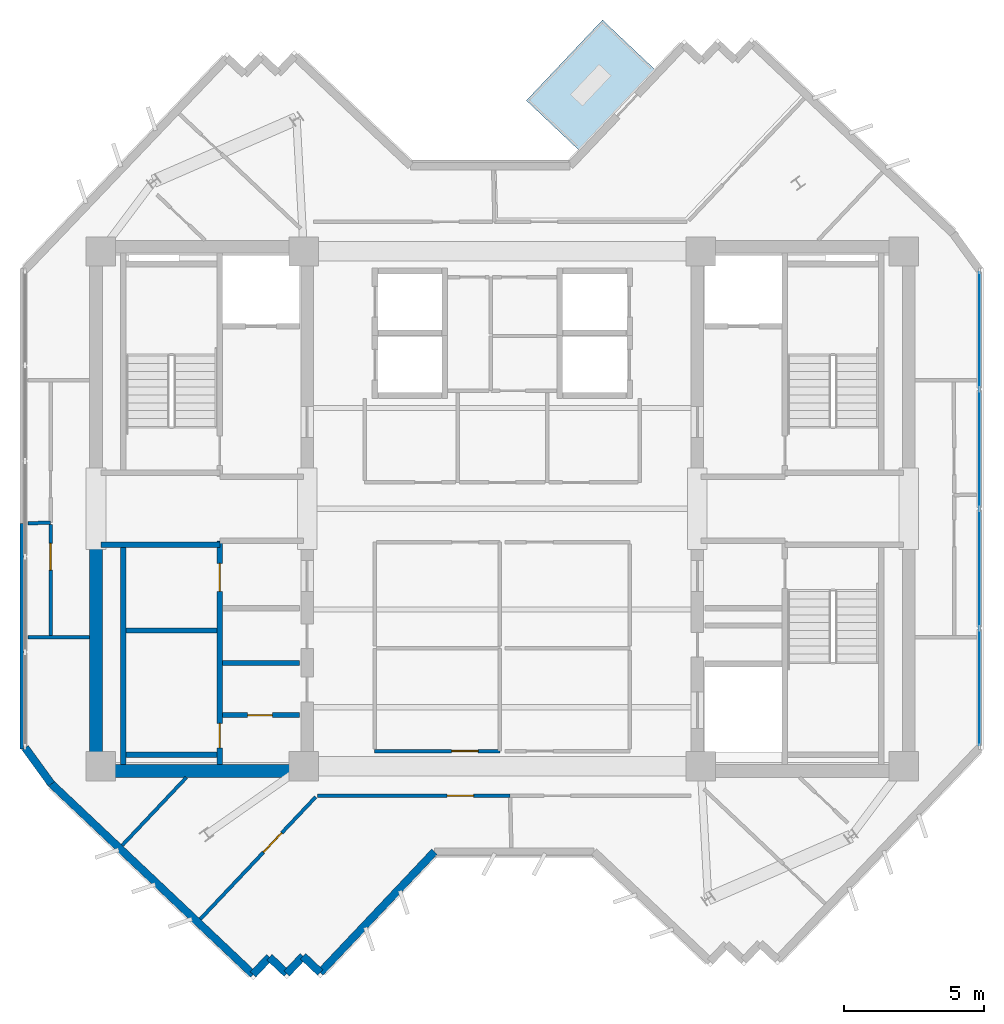
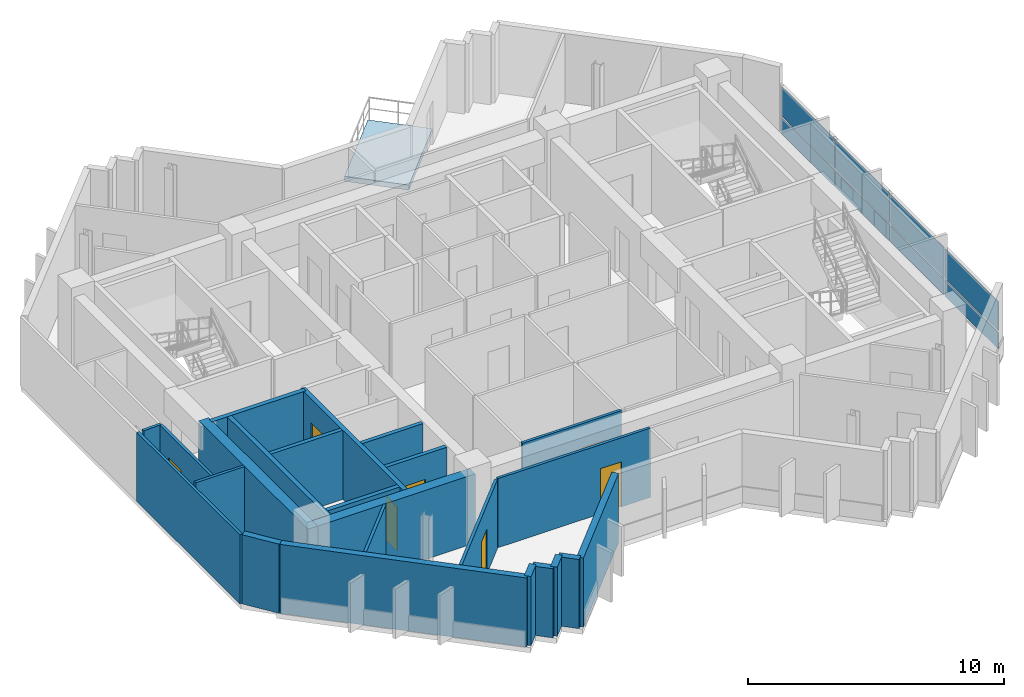
# One storey, part 3 of 9: 24 walls, 8 plates, 7 doors, 1 slab, 7 openings, 1 element without a shape of its own.
"""IFC4 building model written with IfcOpenShell, lengths in metres."""

from ifc_helpers import new_model, si_unit, direction, frame, frame_2d, origin, origin_2d, place, context, subcontext, project, spatial, polyline, rectangle, outline, extrude, source, transform, mapped, material, layer, layer_set, type_object, element, fill, aggregate, save


model = new_model("IFC4")

# Units and contexts
model_context = context("Model", 3, precision=1e-05, world=origin(), true_north=direction((0.0, 1.0)))
body_context = subcontext(model_context, "Body", "Model", "MODEL_VIEW")
ifc_project = project(units=[si_unit("LENGTHUNIT", "METRE"), si_unit("AREAUNIT", "SQUARE_METRE"), si_unit("VOLUMEUNIT", "CUBIC_METRE"), si_unit("PLANEANGLEUNIT", "RADIAN"), si_unit("MASSUNIT", "GRAM", prefix="KILO")], contexts=[model_context])

# Site, building, storey
site_placement = place(None, origin())
site = spatial("IfcSite", under=ifc_project, at=site_placement, CompositionType="ELEMENT")
building_placement = place(site_placement, origin())
building = spatial("IfcBuilding", under=site, at=building_placement, Name="Zahravan Cultural Tower", CompositionType="ELEMENT")
storey_placement = place(building_placement, frame((0.0, 0.0, 310.35009765625)))
storey = spatial("IfcBuildingStorey", under=building, at=storey_placement, Name="L75", CompositionType="ELEMENT", Elevation=310.35009765625)

# Slab
ifc_material_1 = material(Name="Concrete C40/50", Category="concrete")
ifc_layer_1 = layer(ifc_material_1, 0.239990234375)
ifc_layer_set_1 = layer_set([ifc_layer_1], Name="Concrete C40/50")
slab_type = type_object("IfcSlabType", Name="SL-TERR-240", PredefinedType="FLOOR", material=ifc_layer_set_1)
slab_placement = place(storey_placement, frame((0.0, 0.0, -0.239990234375)))
element("IfcSlab", 1, at=slab_placement, inside=storey, type_object=slab_type, Name="L75 Planted Sculpture Terrace NE", PredefinedType="FLOOR", context=body_context, shape_type="SweptSolid", body=[
    extrude(outline(polyline([(36.861328125, 41.596435546875), (38.747314453125, 39.814208984375), (41.46728515625, 42.692138671875), (39.581298828125, 44.474609375), (36.861328125, 41.596435546875)])), origin(), (0.0, 0.0, 1.0), 0.239990234375),
])

# Curtain wall, plates
ifc_material_2 = material(Name="Anodised bronze-aluminium mullion", Category="aluminium")
ifc_layer_2 = layer(ifc_material_2, 0.219970703125)
ifc_layer_set_2 = layer_set([ifc_layer_2], Name="Anodised bronze-aluminium mullion")
curtain_wall_type = type_object("IfcCurtainWallType", Name="CW-SYS-1", PredefinedType="USERDEFINED", material=ifc_layer_set_2)
curtain_wall_placement = place(storey_placement, origin())
curtain_wall = element("IfcCurtainWall", 2, at=curtain_wall_placement, inside=storey, type_object=curtain_wall_type, Name="L75 Recessed Curtain Wall CW-1.1", ObjectType="RECESSED GLAZING", PredefinedType="USERDEFINED")
ifc_material_3 = material(Name="Low-E solar-control double glazing", Category="glass")
ifc_layer_3 = layer(ifc_material_3, 0.031982421875)
ifc_layer_set_3 = layer_set([ifc_layer_3], Name="Low-E solar-control double glazing")
plate_type = type_object("IfcPlateType", Name="CWP-CW-1", PredefinedType="CURTAIN_PANEL", material=ifc_layer_set_3)
shared_shape_1 = source(origin(), body_context, "Body", "SweptSolid", [
    extrude(rectangle(XDim=4.15087890625, YDim=0.031982421875, at=origin_2d()), origin(), (0.0, 0.0, 1.0), 0.780029296875),
])
plate_1_placement = place(storey_placement, frame((53.06005859375, 33.386474609375, 0.080078125), z_axis=(0.0, 0.0, 1.0), x_axis=(0.0, -1.0, 0.0)))
plate_1 = element("IfcPlate", 3, at=plate_1_placement, type_object=plate_type, Name="CW-1 panel 1.1", PredefinedType="CURTAIN_PANEL", context=body_context, shape_type="MappedRepresentation", body=[
    mapped(shared_shape_1, transform((0.0, 0.0, 0.0), x_axis=(1.0, 0.0, 0.0), y_axis=(0.0, 1.0, 0.0), z_axis=(0.0, 0.0, 1.0), scale=1.0)),
])
plate_2_placement = place(storey_placement, frame((53.06005859375, 20.613525390625, 0.080078125), z_axis=(0.0, 0.0, 1.0), x_axis=(0.0, -1.0, 0.0)))
plate_2 = element("IfcPlate", 4, at=plate_2_placement, type_object=plate_type, Name="CW-1 panel 4.1", PredefinedType="CURTAIN_PANEL", context=body_context, shape_type="MappedRepresentation", body=[
    mapped(shared_shape_1, transform((0.0, 0.0, 0.0), x_axis=(1.0, 0.0, 0.0), y_axis=(0.0, 1.0, 0.0), z_axis=(0.0, 0.0, 1.0), scale=1.0)),
])
shared_shape_2 = source(origin(), body_context, "Body", "SweptSolid", [
    extrude(rectangle(XDim=4.19091796875, YDim=0.031982421875, at=origin_2d()), origin(), (0.0, 0.0, 1.0), 0.780029296875),
])
plate_3_placement = place(storey_placement, frame((53.06005859375, 29.135498046875, 0.080078125), z_axis=(0.0, 0.0, 1.0), x_axis=(0.0, -1.0, 0.0)))
plate_3 = element("IfcPlate", 5, at=plate_3_placement, type_object=plate_type, Name="CW-1 panel 2.1", PredefinedType="CURTAIN_PANEL", context=body_context, shape_type="MappedRepresentation", body=[
    mapped(shared_shape_2, transform((0.0, 0.0, 0.0), x_axis=(1.0, 0.0, 0.0), y_axis=(0.0, 1.0, 0.0), z_axis=(0.0, 0.0, 1.0), scale=1.0)),
])
plate_4_placement = place(storey_placement, frame((53.06005859375, 24.864501953125, 0.080078125), z_axis=(0.0, 0.0, 1.0), x_axis=(0.0, -1.0, 0.0)))
plate_4 = element("IfcPlate", 6, at=plate_4_placement, type_object=plate_type, Name="CW-1 panel 3.1", PredefinedType="CURTAIN_PANEL", context=body_context, shape_type="MappedRepresentation", body=[
    mapped(shared_shape_2, transform((0.0, 0.0, 0.0), x_axis=(1.0, 0.0, 0.0), y_axis=(0.0, 1.0, 0.0), z_axis=(0.0, 0.0, 1.0), scale=1.0)),
])
shared_shape_3 = source(origin(), body_context, "Body", "SweptSolid", [
    extrude(rectangle(XDim=4.15087890625, YDim=0.031982421875, at=origin_2d()), origin(), (0.0, 0.0, 1.0), 1.39990234375),
])
plate_5_placement = place(storey_placement, frame((53.06005859375, 33.386474609375, 0.93994140625), z_axis=(0.0, 0.0, 1.0), x_axis=(0.0, -1.0, 0.0)))
plate_5 = element("IfcPlate", 7, at=plate_5_placement, type_object=plate_type, Name="CW-1 panel 1.2", PredefinedType="CURTAIN_PANEL", context=body_context, shape_type="MappedRepresentation", body=[
    mapped(shared_shape_3, transform((0.0, 0.0, 0.0), x_axis=(1.0, 0.0, 0.0), y_axis=(0.0, 1.0, 0.0), z_axis=(0.0, 0.0, 1.0), scale=1.0)),
])
plate_6_placement = place(storey_placement, frame((53.06005859375, 20.613525390625, 0.93994140625), z_axis=(0.0, 0.0, 1.0), x_axis=(0.0, -1.0, 0.0)))
plate_6 = element("IfcPlate", 8, at=plate_6_placement, type_object=plate_type, Name="CW-1 panel 4.2", PredefinedType="CURTAIN_PANEL", context=body_context, shape_type="MappedRepresentation", body=[
    mapped(shared_shape_3, transform((0.0, 0.0, 0.0), x_axis=(1.0, 0.0, 0.0), y_axis=(0.0, 1.0, 0.0), z_axis=(0.0, 0.0, 1.0), scale=1.0)),
])
shared_shape_4 = source(origin(), body_context, "Body", "SweptSolid", [
    extrude(rectangle(XDim=4.19091796875, YDim=0.031982421875, at=origin_2d()), origin(), (0.0, 0.0, 1.0), 1.39990234375),
])
plate_7_placement = place(storey_placement, frame((53.06005859375, 29.135498046875, 0.93994140625), z_axis=(0.0, 0.0, 1.0), x_axis=(0.0, -1.0, 0.0)))
plate_7 = element("IfcPlate", 9, at=plate_7_placement, type_object=plate_type, Name="CW-1 panel 2.2", PredefinedType="CURTAIN_PANEL", context=body_context, shape_type="MappedRepresentation", body=[
    mapped(shared_shape_4, transform((0.0, 0.0, 0.0), x_axis=(1.0, 0.0, 0.0), y_axis=(0.0, 1.0, 0.0), z_axis=(0.0, 0.0, 1.0), scale=1.0)),
])
plate_8_placement = place(storey_placement, frame((53.06005859375, 24.864501953125, 0.93994140625), z_axis=(0.0, 0.0, 1.0), x_axis=(0.0, -1.0, 0.0)))
plate_8 = element("IfcPlate", 10, at=plate_8_placement, type_object=plate_type, Name="CW-1 panel 3.2", PredefinedType="CURTAIN_PANEL", context=body_context, shape_type="MappedRepresentation", body=[
    mapped(shared_shape_4, transform((0.0, 0.0, 0.0), x_axis=(1.0, 0.0, 0.0), y_axis=(0.0, 1.0, 0.0), z_axis=(0.0, 0.0, 1.0), scale=1.0)),
])
aggregate(curtain_wall, [plate_1, plate_5, plate_3, plate_7, plate_4, plate_8, plate_2, plate_6])

# Wall, opening, door
ifc_material_4 = material(Name="Gypsum plasterboard partition")
ifc_layer_4 = layer(ifc_material_4, 0.179931640625)
ifc_layer_set_4 = layer_set([ifc_layer_4], Name="Gypsum plasterboard partition")
wall_type_1 = type_object("IfcWallType", Name="W-COMP-180", PredefinedType="PARTITIONING", material=ifc_layer_set_4)
wall_1_placement = place(storey_placement, frame((26.0, 19.6201171875, 0.0), z_axis=(0.0, 0.0, 1.0), x_axis=(1.0, 0.0, 0.0)))
wall_1 = element("IfcWall", 11, at=wall_1_placement, inside=storey, type_object=wall_type_1, Name="L75 Interior Wall 027", PredefinedType="PARTITIONING", context=body_context, shape_type="SweptSolid", body=[
    extrude(rectangle(XDim=2.75, YDim=0.179931640625, at=frame_2d((1.375, 0.0))), origin(), (0.0, 0.0, 1.0), 3.2998046875),
])
opening_1_placement = place(wall_1_placement, frame((0.89990234375, 0.0, 0.0)))
opening_1 = element("IfcOpeningElement", 12, at=opening_1_placement, cuts=wall_1, Name="Opening D-L75-10", PredefinedType="OPENING", context=body_context, shape_type="SweptSolid", body=[
    extrude(rectangle(XDim=0.8798828125, YDim=2.10009765625, at=frame_2d((0.43994140625, 1.050048828125))), frame((0.0, 0.099853515625, 0.0), z_axis=(0.0, -1.0, 0.0), x_axis=(1.0, 0.0, 0.0)), (0.0, 0.0, 1.0), 0.199951171875),
])
ifc_material_5 = material(Name="Steel ASTM A572 Grade 50", Category="steel")
door_type_1 = type_object("IfcDoorType", Name="DR-SVC-880", OperationType="NOTDEFINED", PredefinedType="DOOR", material=ifc_material_5)
shared_shape_5 = source(origin(), body_context, "Body", "SweptSolid", [
    extrude(rectangle(XDim=0.8798828125, YDim=2.10009765625, at=frame_2d((0.43994140625, 1.050048828125))), frame((0.0, 0.02490234375, 0.0), z_axis=(0.0, -1.0, 0.0), x_axis=(1.0, 0.0, 0.0)), (0.0, 0.0, 1.0), 0.050048828125),
])
door_1_placement = place(opening_1_placement, origin())
door_1 = element("IfcDoor", 13, at=door_1_placement, inside=storey, type_object=door_type_1, Name="L75 Door D-L75-10", OperationType="SINGLE_SWING_RIGHT", OverallHeight=2.10009765625, OverallWidth=0.8798828125, PredefinedType="DOOR", context=body_context, shape_type="MappedRepresentation", body=[
    mapped(shared_shape_5, transform((0.0, 0.0, 0.0), x_axis=(1.0, 0.0, 0.0), y_axis=(0.0, 1.0, 0.0), z_axis=(0.0, 0.0, 1.0), scale=1.0)),
])
fill(opening_1, door_1)

ifc_layer_5 = layer(ifc_material_4, 0.125)
ifc_layer_set_5 = layer_set([ifc_layer_5], Name="Gypsum plasterboard partition")
wall_type_2 = type_object("IfcWallType", Name="W-PART-125", PredefinedType="PARTITIONING", material=ifc_layer_set_5)
wall_2_placement = place(storey_placement, frame((35.909912109375, 18.340087890625, 0.0), z_axis=(0.0, 0.0, 1.0), x_axis=(-1.0, 0.0, 0.0)))
wall_2 = element("IfcWall", 14, at=wall_2_placement, inside=storey, type_object=wall_type_2, Name="L75 Interior Wall 062", PredefinedType="PARTITIONING", context=body_context, shape_type="SweptSolid", body=[
    extrude(rectangle(XDim=4.469970703125, YDim=0.125, at=frame_2d((2.23486328125, 0.0))), origin(), (0.0, 0.0, 1.0), 3.2998046875),
])
opening_2_placement = place(wall_2_placement, frame((0.7744140625, 0.0, 0.0)))
opening_2 = element("IfcOpeningElement", 15, at=opening_2_placement, cuts=wall_2, Name="Opening D-L75-14", PredefinedType="OPENING", context=body_context, shape_type="SweptSolid", body=[
    extrude(rectangle(XDim=0.949951171875, YDim=2.14990234375, at=frame_2d((0.47509765625, 1.074951171875))), frame((0.0, 0.072509765625, 0.0), z_axis=(0.0, -1.0, 0.0), x_axis=(1.0, 0.0, 0.0)), (0.0, 0.0, 1.0), 0.14501953125),
])
door_type_2 = type_object("IfcDoorType", Name="DR-ROOM-950", OperationType="NOTDEFINED", PredefinedType="DOOR", material=ifc_material_2)
shared_shape_6 = source(origin(), body_context, "Body", "SweptSolid", [
    extrude(rectangle(XDim=0.949951171875, YDim=2.14990234375, at=frame_2d((0.47509765625, 1.074951171875))), frame((0.0, 0.02490234375, 0.0), z_axis=(0.0, -1.0, 0.0), x_axis=(1.0, 0.0, 0.0)), (0.0, 0.0, 1.0), 0.050048828125),
])
door_2_placement = place(opening_2_placement, origin())
door_2 = element("IfcDoor", 16, at=door_2_placement, inside=storey, type_object=door_type_2, Name="L75 Door D-L75-14", OperationType="SINGLE_SWING_RIGHT", OverallHeight=2.14990234375, OverallWidth=0.949951171875, PredefinedType="DOOR", context=body_context, shape_type="MappedRepresentation", body=[
    mapped(shared_shape_6, transform((0.0, 0.0, 0.0), x_axis=(1.0, 0.0, 0.0), y_axis=(0.0, 1.0, 0.0), z_axis=(0.0, 0.0, 1.0), scale=1.0)),
])
fill(opening_2, door_2)

wall_3_placement = place(storey_placement, frame((29.32763671875, 16.693603515625, 0.0), z_axis=(0.0, 0.0, 1.0), x_axis=(-0.686871949206, -0.726778456886, 0.0)))
wall_3 = element("IfcWall", 17, at=wall_3_placement, inside=storey, type_object=wall_type_2, Name="L75 Interior Wall 084", PredefinedType="PARTITIONING", context=body_context, shape_type="SweptSolid", body=[
    extrude(rectangle(XDim=6.00146484375, YDim=0.125, at=frame_2d((3.000732421875, 0.0))), origin(), (0.0, 0.0, 1.0), 3.2998046875),
])
opening_3_placement = place(wall_3_placement, frame((1.76806640625, 0.0, 0.0)))
opening_3 = element("IfcOpeningElement", 18, at=opening_3_placement, cuts=wall_3, Name="Opening D-L75-34", PredefinedType="OPENING", context=body_context, shape_type="SweptSolid", body=[
    extrude(rectangle(XDim=0.949951171875, YDim=2.14990234375, at=frame_2d((0.47509765625, 1.074951171875))), frame((0.0, 0.072509765625, 0.0), z_axis=(0.0, -1.0, 0.0), x_axis=(1.0, 0.0, 0.0)), (0.0, 0.0, 1.0), 0.14501953125),
])
door_3_placement = place(opening_3_placement, origin())
door_3 = element("IfcDoor", 19, at=door_3_placement, inside=storey, type_object=door_type_2, Name="L75 Door D-L75-34", OperationType="SINGLE_SWING_RIGHT", OverallHeight=2.14990234375, OverallWidth=0.949951171875, PredefinedType="DOOR", context=body_context, shape_type="MappedRepresentation", body=[
    mapped(shared_shape_6, transform((0.0, 0.0, 0.0), x_axis=(1.0, 0.0, 0.0), y_axis=(0.0, 1.0, 0.0), z_axis=(0.0, 0.0, 1.0), scale=1.0)),
])
fill(opening_3, door_3)

wall_4_placement = place(storey_placement, frame((19.85009765625, 26.43896484375, 0.0), z_axis=(0.0, 0.0, 1.0), x_axis=(0.000241837961, -0.999999970757, 0.0)))
wall_4 = element("IfcWall", 20, at=wall_4_placement, inside=storey, type_object=wall_type_2, Name="L75 Interior Wall 085", PredefinedType="PARTITIONING", context=body_context, shape_type="SweptSolid", body=[
    extrude(rectangle(XDim=4.0380859375, YDim=0.125, at=frame_2d((2.01904296875, 0.0))), origin(), (0.0, 0.0, 1.0), 3.2998046875),
])
opening_4_placement = place(wall_4_placement, frame((0.679443359375, 0.0, 0.0)))
opening_4 = element("IfcOpeningElement", 21, at=opening_4_placement, cuts=wall_4, Name="Opening D-L75-27", PredefinedType="OPENING", context=body_context, shape_type="SweptSolid", body=[
    extrude(rectangle(XDim=0.949951171875, YDim=2.14990234375, at=frame_2d((0.47509765625, 1.074951171875))), frame((0.0, 0.072509765625, 0.0), z_axis=(0.0, -1.0, 0.0), x_axis=(1.0, 0.0, 0.0)), (0.0, 0.0, 1.0), 0.14501953125),
])
door_4_placement = place(opening_4_placement, origin())
door_4 = element("IfcDoor", 22, at=door_4_placement, inside=storey, type_object=door_type_2, Name="L75 Door D-L75-27", OperationType="SINGLE_SWING_LEFT", OverallHeight=2.14990234375, OverallWidth=0.949951171875, PredefinedType="DOOR", context=body_context, shape_type="MappedRepresentation", body=[
    mapped(shared_shape_6, transform((0.0, 0.0, 0.0), x_axis=(1.0, 0.0, 0.0), y_axis=(0.0, 1.0, 0.0), z_axis=(0.0, 0.0, 1.0), scale=1.0)),
])
fill(opening_4, door_4)

wall_5_placement = place(storey_placement, frame((29.399169921875, 16.739990234375, 0.0), z_axis=(0.0, 0.0, 1.0), x_axis=(1.0, 0.0, 0.0)))
wall_5 = element("IfcWall", 23, at=wall_5_placement, inside=storey, type_object=wall_type_2, Name="L75 Interior Wall 095", PredefinedType="PARTITIONING", context=body_context, shape_type="SweptSolid", body=[
    extrude(rectangle(XDim=6.880615234375, YDim=0.125, at=frame_2d((3.4404296875, 0.0))), origin(), (0.0, 0.0, 1.0), 3.2998046875),
])
opening_5_placement = place(wall_5_placement, frame((4.6259765625, 0.0, 0.0)))
opening_5 = element("IfcOpeningElement", 24, at=opening_5_placement, cuts=wall_5, Name="Opening D-L75-28", PredefinedType="OPENING", context=body_context, shape_type="SweptSolid", body=[
    extrude(rectangle(XDim=0.949951171875, YDim=2.14990234375, at=frame_2d((0.47509765625, 1.074951171875))), frame((0.0, 0.072509765625, 0.0), z_axis=(0.0, -1.0, 0.0), x_axis=(1.0, 0.0, 0.0)), (0.0, 0.0, 1.0), 0.14501953125),
])
door_5_placement = place(opening_5_placement, origin())
door_5 = element("IfcDoor", 25, at=door_5_placement, inside=storey, type_object=door_type_2, Name="L75 Door D-L75-28", OperationType="SINGLE_SWING_RIGHT", OverallHeight=2.14990234375, OverallWidth=0.949951171875, PredefinedType="DOOR", context=body_context, shape_type="MappedRepresentation", body=[
    mapped(shared_shape_6, transform((0.0, 0.0, 0.0), x_axis=(1.0, 0.0, 0.0), y_axis=(0.0, 1.0, 0.0), z_axis=(0.0, 0.0, 1.0), scale=1.0)),
])
fill(opening_5, door_5)

# Wall, openings, doors
ifc_material_6 = material(Name="Concrete C45/55", Category="concrete")
ifc_layer_6 = layer(ifc_material_6, 0.199951171875)
ifc_layer_set_6 = layer_set([ifc_layer_6], Name="Concrete C45/55")
wall_type_3 = type_object("IfcWallType", Name="W-SHAFT-200", PredefinedType="SOLIDWALL", material=ifc_layer_set_6)
wall_6_placement = place(storey_placement, frame((25.89990234375, 17.85009765625, 0.0), z_axis=(0.0, 0.0, 1.0), x_axis=(0.0, 1.0, 0.0)))
wall_6 = element("IfcWall", 26, at=wall_6_placement, inside=storey, type_object=wall_type_3, Name="L75 Interior Wall 005", PredefinedType="SOLIDWALL", context=body_context, shape_type="SweptSolid", body=[
    extrude(rectangle(XDim=8.0, YDim=0.199951171875, at=frame_2d((4.0, 0.0))), origin(), (0.0, 0.0, 1.0), 3.2998046875),
])
opening_6_placement = place(wall_6_placement, frame((6.199951171875, 0.0, 0.0)))
opening_6 = element("IfcOpeningElement", 27, at=opening_6_placement, cuts=wall_6, Name="Opening D-L75-04", PredefinedType="OPENING", context=body_context, shape_type="SweptSolid", body=[
    extrude(rectangle(XDim=1.0, YDim=2.14990234375, at=frame_2d((0.5, 1.074951171875))), frame((0.0, 0.10986328125, 0.0), z_axis=(0.0, -1.0, 0.0), x_axis=(1.0, 0.0, 0.0)), (0.0, 0.0, 1.0), 0.219970703125),
])
opening_7_placement = place(wall_6_placement, frame((0.60009765625, 0.0, 0.0)))
opening_7 = element("IfcOpeningElement", 28, at=opening_7_placement, cuts=wall_6, Name="Opening D-L75-05", PredefinedType="OPENING", context=body_context, shape_type="SweptSolid", body=[
    extrude(rectangle(XDim=0.8798828125, YDim=2.10009765625, at=frame_2d((0.43994140625, 1.050048828125))), frame((0.0, 0.10986328125, 0.0), z_axis=(0.0, -1.0, 0.0), x_axis=(1.0, 0.0, 0.0)), (0.0, 0.0, 1.0), 0.219970703125),
])
door_6_placement = place(opening_7_placement, origin())
door_6 = element("IfcDoor", 29, at=door_6_placement, inside=storey, type_object=door_type_1, Name="L75 Door D-L75-05", OperationType="SINGLE_SWING_LEFT", OverallHeight=2.10009765625, OverallWidth=0.8798828125, PredefinedType="DOOR", context=body_context, shape_type="MappedRepresentation", body=[
    mapped(shared_shape_5, transform((0.0, 0.0, 0.0), x_axis=(1.0, 0.0, 0.0), y_axis=(0.0, 1.0, 0.0), z_axis=(0.0, 0.0, 1.0), scale=1.0)),
])
fill(opening_7, door_6)
door_type_3 = type_object("IfcDoorType", Name="DR-COMP-1000", OperationType="NOTDEFINED", PredefinedType="DOOR", material=ifc_material_5)
shared_shape_7 = source(origin(), body_context, "Body", "SweptSolid", [
    extrude(rectangle(XDim=1.0, YDim=2.14990234375, at=frame_2d((0.5, 1.074951171875))), frame((0.0, 0.02490234375, 0.0), z_axis=(0.0, -1.0, 0.0), x_axis=(1.0, 0.0, 0.0)), (0.0, 0.0, 1.0), 0.050048828125),
])
door_7_placement = place(opening_6_placement, origin())
door_7 = element("IfcDoor", 30, at=door_7_placement, inside=storey, type_object=door_type_3, Name="L75 Door D-L75-04", OperationType="SINGLE_SWING_RIGHT", OverallHeight=2.14990234375, OverallWidth=1.0, PredefinedType="DOOR", context=body_context, shape_type="MappedRepresentation", body=[
    mapped(shared_shape_7, transform((0.0, 0.0, 0.0), x_axis=(1.0, 0.0, 0.0), y_axis=(0.0, 1.0, 0.0), z_axis=(0.0, 0.0, 1.0), scale=1.0)),
])
fill(opening_6, door_7)

# Walls
ifc_material_7 = material(Name="Concrete C50/60", Category="concrete")
ifc_layer_7 = layer(ifc_material_7, 0.449951171875)
ifc_layer_set_7 = layer_set([ifc_layer_7], Name="Concrete C50/60")
wall_type_4 = type_object("IfcWallType", Name="CW-SHEAR-450-C50", PredefinedType="SHEAR", material=ifc_layer_set_7)
shared_shape_8 = source(origin(), body_context, "Body", "SweptSolid", [
    extrude(rectangle(XDim=8.550048828125, YDim=0.449951171875, at=frame_2d((4.27490234375, 0.0))), origin(), (0.0, 0.0, 1.0), 3.2998046875),
])
wall_7_placement = place(storey_placement, frame((21.47509765625, 17.39990234375, 0.0), z_axis=(0.0, 0.0, 1.0), x_axis=(0.0, 1.0, 0.0)))
element("IfcWall", 31, at=wall_7_placement, inside=storey, type_object=wall_type_4, Name="L75 Core Shear Wall CW-W-WS-L75", PredefinedType="SHEAR", context=body_context, shape_type="MappedRepresentation", body=[
    mapped(shared_shape_8, transform((0.0, 0.0, 0.0), x_axis=(1.0, 0.0, 0.0), y_axis=(0.0, 1.0, 0.0), z_axis=(0.0, 0.0, 1.0), scale=1.0)),
])
shared_shape_9 = source(origin(), body_context, "Body", "SweptSolid", [
    extrude(rectangle(XDim=7.10009765625, YDim=0.449951171875, at=frame_2d((3.550048828125, 0.0))), origin(), (0.0, 0.0, 1.0), 3.2998046875),
])
wall_8_placement = place(storey_placement, frame((21.699951171875, 17.625, 0.0), z_axis=(0.0, 0.0, 1.0), x_axis=(1.0, 0.0, 0.0)))
element("IfcWall", 32, at=wall_8_placement, inside=storey, type_object=wall_type_4, Name="L75 Core Shear Wall CW-W-S-L75", PredefinedType="SHEAR", context=body_context, shape_type="MappedRepresentation", body=[
    mapped(shared_shape_9, transform((0.0, 0.0, 0.0), x_axis=(1.0, 0.0, 0.0), y_axis=(0.0, 1.0, 0.0), z_axis=(0.0, 0.0, 1.0), scale=1.0)),
])
ifc_material_8 = material(Name="Precast concrete C40/50", Category="concrete")
ifc_layer_8 = layer(ifc_material_8, 0.280029296875)
ifc_layer_set_8 = layer_set([ifc_layer_8], Name="Precast concrete C40/50")
wall_type_5 = type_object("IfcWallType", Name="EW-TC-280", PredefinedType="SOLIDWALL", material=ifc_layer_set_8)
shared_shape_10 = source(origin(), body_context, "Body", "SweptSolid", [
    extrude(rectangle(XDim=0.849853515625, YDim=0.280029296875, at=frame_2d((0.4248046875, 0.0))), origin(), (0.0, 0.0, 1.0), 3.2998046875),
])
for number, where, z_axis, x_axis, name in (
    (33, (29.4931640625, 10.419189453125, 0.0), (0.0, 0.0, 1.0), (-0.726790047388, 0.686859685101, 0.0), "L75 Exterior Masonry Frame Wall 16"),
    (34, (28.29150390625, 10.38525390625, 0.0), (0.0, 0.0, 1.0), (-0.726790047388, 0.686859685101, 0.0), "L75 Exterior Masonry Frame Wall 18"),
):
    element("IfcWall", number, at=place(storey_placement, frame(where, z_axis=z_axis, x_axis=x_axis)), inside=storey, type_object=wall_type_5, Name=name, PredefinedType="SOLIDWALL", context=body_context, shape_type="MappedRepresentation", body=[
        mapped(shared_shape_10, transform((0.0, 0.0, 0.0), x_axis=(1.0, 0.0, 0.0), y_axis=(0.0, 1.0, 0.0), z_axis=(0.0, 0.0, 1.0), scale=1.0)),
    ])
shared_shape_11 = source(origin(), body_context, "Body", "SweptSolid", [
    extrude(rectangle(XDim=0.85009765625, YDim=0.280029296875, at=frame_2d((0.425048828125, 0.0))), origin(), (0.0, 0.0, 1.0), 3.2998046875),
])
for number, where, z_axis, x_axis, name in (
    (35, (28.87548828125, 11.0029296875, 0.0), (0.0, 0.0, 1.0), (-0.687011382404, -0.726646654466, 0.0), "L75 Exterior Masonry Frame Wall 17"),
    (36, (27.673828125, 10.968994140625, 0.0), (0.0, 0.0, 1.0), (-0.687011382404, -0.726646654466, 0.0), "L75 Exterior Masonry Frame Wall 19"),
):
    element("IfcWall", number, at=place(storey_placement, frame(where, z_axis=z_axis, x_axis=x_axis)), inside=storey, type_object=wall_type_5, Name=name, PredefinedType="SOLIDWALL", context=body_context, shape_type="MappedRepresentation", body=[
        mapped(shared_shape_11, transform((0.0, 0.0, 0.0), x_axis=(1.0, 0.0, 0.0), y_axis=(0.0, 1.0, 0.0), z_axis=(0.0, 0.0, 1.0), scale=1.0)),
    ])
shared_shape_12 = source(origin(), body_context, "Body", "SweptSolid", [
    extrude(rectangle(XDim=9.919921875, YDim=0.280029296875, at=frame_2d((4.9599609375, 0.0))), origin(), (0.0, 0.0, 1.0), 3.2998046875),
])
wall_9_placement = place(storey_placement, frame((27.08984375, 10.351318359375, 0.0), z_axis=(0.0, 0.0, 1.0), x_axis=(-0.726772856404, 0.686877875022, 0.0)))
element("IfcWall", 37, at=wall_9_placement, inside=storey, type_object=wall_type_5, Name="L75 Exterior Masonry Frame Wall 20", PredefinedType="SOLIDWALL", context=body_context, shape_type="MappedRepresentation", body=[
    mapped(shared_shape_12, transform((0.0, 0.0, 0.0), x_axis=(1.0, 0.0, 0.0), y_axis=(0.0, 1.0, 0.0), z_axis=(0.0, 0.0, 1.0), scale=1.0)),
])
shared_shape_13 = source(origin(), body_context, "Body", "SweptSolid", [
    extrude(rectangle(XDim=1.598876953125, YDim=0.280029296875, at=frame_2d((0.79931640625, 0.0))), origin(), (0.0, 0.0, 1.0), 3.2998046875),
])
wall_10_placement = place(storey_placement, frame((19.88037109375, 17.1650390625, 0.0), z_axis=(0.0, 0.0, 1.0), x_axis=(-0.58820801539, 0.808709670173, 0.0)))
element("IfcWall", 38, at=wall_10_placement, inside=storey, type_object=wall_type_5, Name="L75 Exterior Masonry Frame Wall 21", PredefinedType="SOLIDWALL", context=body_context, shape_type="MappedRepresentation", body=[
    mapped(shared_shape_13, transform((0.0, 0.0, 0.0), x_axis=(1.0, 0.0, 0.0), y_axis=(0.0, 1.0, 0.0), z_axis=(0.0, 0.0, 1.0), scale=1.0)),
])
shared_shape_14 = source(origin(), body_context, "Body", "SweptSolid", [
    extrude(rectangle(XDim=5.9453125, YDim=0.280029296875, at=frame_2d((2.97265625, 0.0))), origin(), (0.0, 0.0, 1.0), 3.2998046875),
])
wall_11_placement = place(storey_placement, frame((33.576904296875, 14.739990234375, 0.0), z_axis=(0.0, 0.0, 1.0), x_axis=(-0.686888766374, -0.72676256276, 0.0)))
element("IfcWall", 39, at=wall_11_placement, inside=storey, type_object=wall_type_5, Name="L75 Exterior Masonry Frame Wall 15", PredefinedType="SOLIDWALL", context=body_context, shape_type="MappedRepresentation", body=[
    mapped(shared_shape_14, transform((0.0, 0.0, 0.0), x_axis=(1.0, 0.0, 0.0), y_axis=(0.0, 1.0, 0.0), z_axis=(0.0, 0.0, 1.0), scale=1.0)),
])
shared_shape_15 = source(origin(), body_context, "Body", "SweptSolid", [
    extrude(rectangle(XDim=7.869873046875, YDim=0.199951171875, at=frame_2d((3.93505859375, 0.0))), origin(), (0.0, 0.0, 1.0), 3.2998046875),
])
wall_12_placement = place(storey_placement, frame((22.449951171875, 17.85009765625, 0.0), z_axis=(0.0, 0.0, 1.0), x_axis=(0.0, 1.0, 0.0)))
element("IfcWall", 40, at=wall_12_placement, inside=storey, type_object=wall_type_3, Name="L75 Interior Wall 001", PredefinedType="SOLIDWALL", context=body_context, shape_type="MappedRepresentation", body=[
    mapped(shared_shape_15, transform((0.0, 0.0, 0.0), x_axis=(1.0, 0.0, 0.0), y_axis=(0.0, 1.0, 0.0), z_axis=(0.0, 0.0, 1.0), scale=1.0)),
])
shared_shape_16 = source(origin(), body_context, "Body", "SweptSolid", [
    extrude(rectangle(XDim=4.25, YDim=0.199951171875, at=frame_2d((2.125, 0.0))), origin(), (0.0, 0.0, 1.0), 3.2998046875),
])
wall_13_placement = place(storey_placement, frame((21.64990234375, 25.715087890625, 0.0), z_axis=(0.0, 0.0, 1.0), x_axis=(1.0, 0.0, 0.0)))
element("IfcWall", 41, at=wall_13_placement, inside=storey, type_object=wall_type_3, Name="L75 Interior Wall 009", PredefinedType="SOLIDWALL", context=body_context, shape_type="MappedRepresentation", body=[
    mapped(shared_shape_16, transform((0.0, 0.0, 0.0), x_axis=(1.0, 0.0, 0.0), y_axis=(0.0, 1.0, 0.0), z_axis=(0.0, 0.0, 1.0), scale=1.0)),
])
shared_shape_17 = source(origin(), body_context, "Body", "SweptSolid", [
    extrude(rectangle(XDim=3.25, YDim=0.199951171875, at=frame_2d((1.625, 0.0))), origin(), (0.0, 0.0, 1.0), 3.2998046875),
])
wall_14_placement = place(storey_placement, frame((22.550048828125, 18.199951171875, 0.0), z_axis=(0.0, 0.0, 1.0), x_axis=(1.0, 0.0, 0.0)))
element("IfcWall", 42, at=wall_14_placement, inside=storey, type_object=wall_type_3, Name="L75 Interior Wall 019", PredefinedType="SOLIDWALL", context=body_context, shape_type="MappedRepresentation", body=[
    mapped(shared_shape_17, transform((0.0, 0.0, 0.0), x_axis=(1.0, 0.0, 0.0), y_axis=(0.0, 1.0, 0.0), z_axis=(0.0, 0.0, 1.0), scale=1.0)),
])
shared_shape_18 = source(origin(), body_context, "Body", "SweptSolid", [
    extrude(rectangle(XDim=3.25, YDim=0.179931640625, at=frame_2d((1.625, 0.0))), origin(), (0.0, 0.0, 1.0), 3.2998046875),
])
wall_15_placement = place(storey_placement, frame((22.550048828125, 22.64990234375, 0.0), z_axis=(0.0, 0.0, 1.0), x_axis=(1.0, 0.0, 0.0)))
element("IfcWall", 43, at=wall_15_placement, inside=storey, type_object=wall_type_1, Name="L75 Interior Wall 021", PredefinedType="PARTITIONING", context=body_context, shape_type="MappedRepresentation", body=[
    mapped(shared_shape_18, transform((0.0, 0.0, 0.0), x_axis=(1.0, 0.0, 0.0), y_axis=(0.0, 1.0, 0.0), z_axis=(0.0, 0.0, 1.0), scale=1.0)),
])
shared_shape_19 = source(origin(), body_context, "Body", "SweptSolid", [
    extrude(rectangle(XDim=2.75, YDim=0.179931640625, at=frame_2d((1.375, 0.0))), origin(), (0.0, 0.0, 1.0), 3.2998046875),
])
wall_16_placement = place(storey_placement, frame((26.0, 21.47998046875, 0.0), z_axis=(0.0, 0.0, 1.0), x_axis=(1.0, 0.0, 0.0)))
element("IfcWall", 44, at=wall_16_placement, inside=storey, type_object=wall_type_1, Name="L75 Interior Wall 028", PredefinedType="PARTITIONING", context=body_context, shape_type="MappedRepresentation", body=[
    mapped(shared_shape_19, transform((0.0, 0.0, 0.0), x_axis=(1.0, 0.0, 0.0), y_axis=(0.0, 1.0, 0.0), z_axis=(0.0, 0.0, 1.0), scale=1.0)),
])
shared_shape_20 = source(origin(), body_context, "Body", "SweptSolid", [
    extrude(rectangle(XDim=2.205078125, YDim=0.125, at=frame_2d((1.1025390625, 0.0))), origin(), (0.0, 0.0, 1.0), 3.2998046875),
])
wall_17_placement = place(storey_placement, frame((19.0400390625, 22.401611328125, 0.0), z_axis=(0.0, 0.0, 1.0), x_axis=(0.99999969967, -0.000775021911, 0.0)))
element("IfcWall", 45, at=wall_17_placement, inside=storey, type_object=wall_type_2, Name="L75 Interior Wall 086", PredefinedType="PARTITIONING", context=body_context, shape_type="MappedRepresentation", body=[
    mapped(shared_shape_20, transform((0.0, 0.0, 0.0), x_axis=(1.0, 0.0, 0.0), y_axis=(0.0, 1.0, 0.0), z_axis=(0.0, 0.0, 1.0), scale=1.0)),
])
shared_shape_21 = source(origin(), body_context, "Body", "SweptSolid", [
    extrude(rectangle(XDim=0.804443359375, YDim=0.125, at=frame_2d((0.40234375, 0.0))), origin(), (0.0, 0.0, 1.0), 3.2998046875),
])
wall_18_placement = place(storey_placement, frame((19.848876953125, 26.506591796875, 0.0), z_axis=(0.0, 0.0, 1.0), x_axis=(-0.999452627665, -0.03308239794, 0.0)))
element("IfcWall", 46, at=wall_18_placement, inside=storey, type_object=wall_type_2, Name="L75 Interior Wall 079", PredefinedType="PARTITIONING", context=body_context, shape_type="MappedRepresentation", body=[
    mapped(shared_shape_21, transform((0.0, 0.0, 0.0), x_axis=(1.0, 0.0, 0.0), y_axis=(0.0, 1.0, 0.0), z_axis=(0.0, 0.0, 1.0), scale=1.0)),
])
shared_shape_22 = source(origin(), body_context, "Body", "SweptSolid", [
    extrude(rectangle(XDim=3.33740234375, YDim=0.125, at=frame_2d((1.668701171875, 0.0))), origin(), (0.0, 0.0, 1.0), 3.2998046875),
])
wall_19_placement = place(storey_placement, frame((22.41455078125, 14.969482421875, 0.0), z_axis=(0.0, 0.0, 1.0), x_axis=(0.686891986515, 0.726759519278, 0.0)))
element("IfcWall", 47, at=wall_19_placement, inside=storey, type_object=wall_type_2, Name="L75 Interior Wall 083", PredefinedType="PARTITIONING", context=body_context, shape_type="MappedRepresentation", body=[
    mapped(shared_shape_22, transform((0.0, 0.0, 0.0), x_axis=(1.0, 0.0, 0.0), y_axis=(0.0, 1.0, 0.0), z_axis=(0.0, 0.0, 1.0), scale=1.0)),
])
shared_shape_23 = source(origin(), body_context, "Body", "SweptSolid", [
    extrude(rectangle(XDim=8.064453125, YDim=0.125, at=frame_2d((4.0322265625, 0.0))), origin(), (0.0, 0.0, 1.0), 3.2998046875),
])
wall_20_placement = place(storey_placement, frame((18.820068359375, 18.408203125, 0.0), z_axis=(0.0, 0.0, 1.0), x_axis=(0.0, 1.0, 0.0)))
element("IfcWall", 48, at=wall_20_placement, inside=storey, type_object=wall_type_2, Name="L75 Interior Wall 087", PredefinedType="PARTITIONING", context=body_context, shape_type="MappedRepresentation", body=[
    mapped(shared_shape_23, transform((0.0, 0.0, 0.0), x_axis=(1.0, 0.0, 0.0), y_axis=(0.0, 1.0, 0.0), z_axis=(0.0, 0.0, 1.0), scale=1.0)),
])

save(model, "model.ifc")
